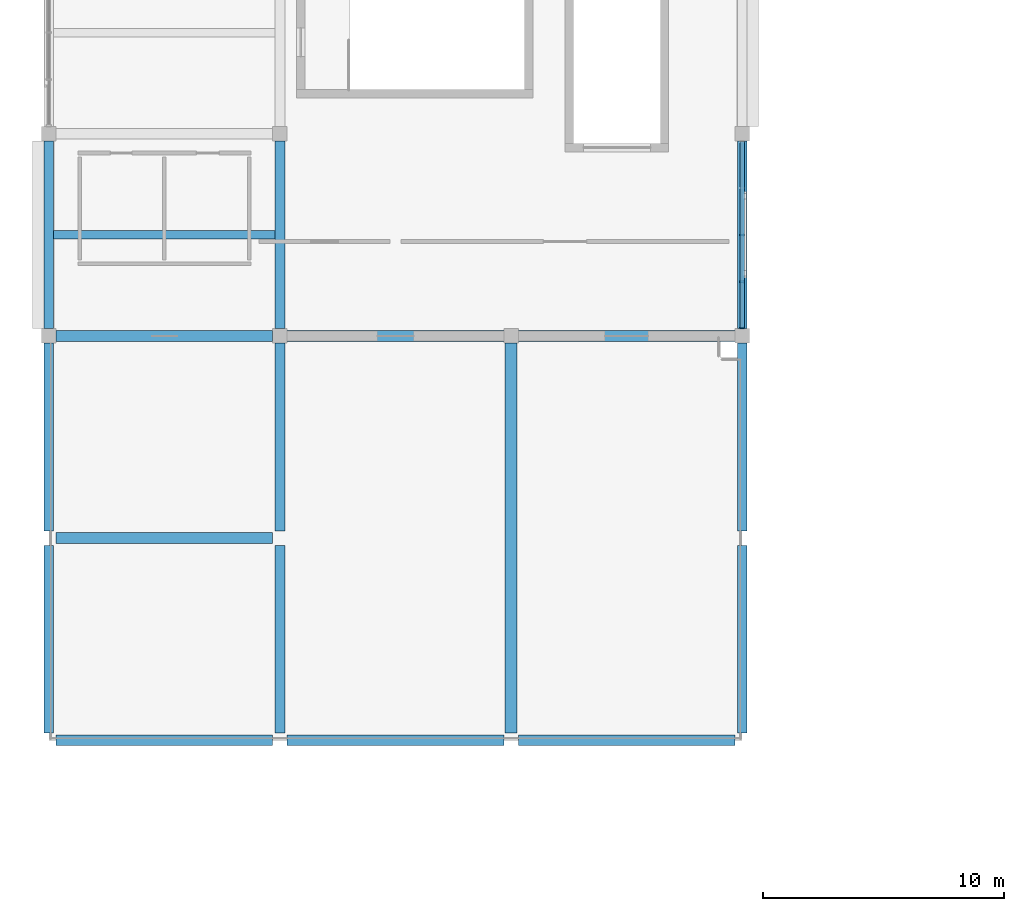
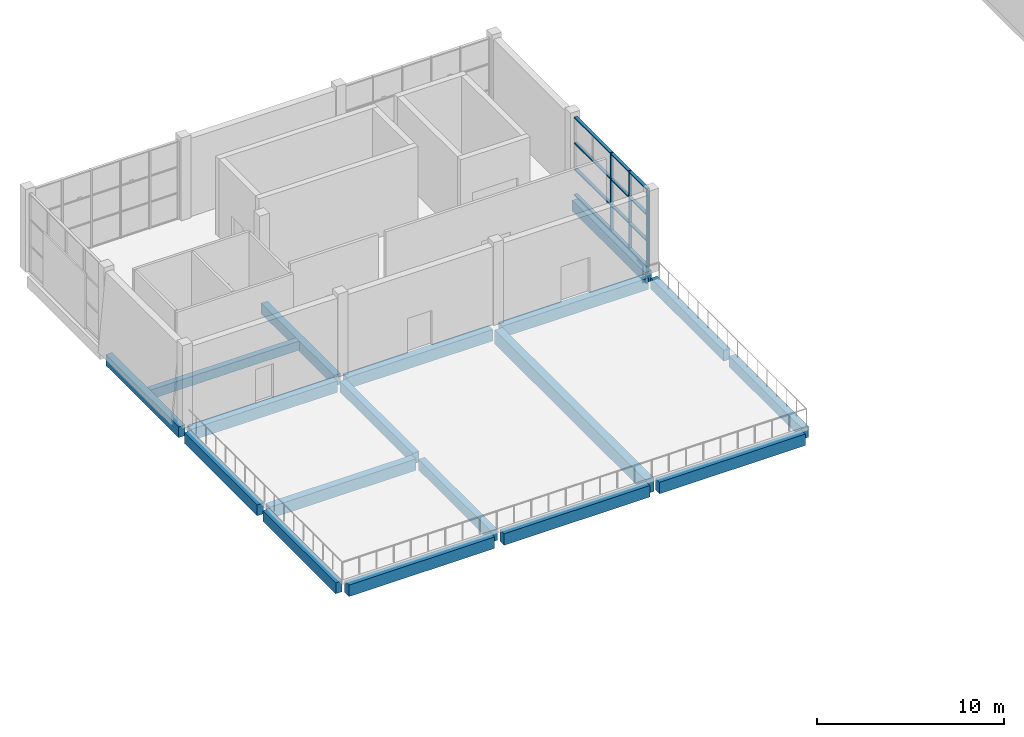
# One storey, part 14 of 57: 18 beams, 7 members, 1 element without a shape of its own.
"""IFC4 building model written with IfcOpenShell, lengths in metres."""

from ifc_helpers import new_model, si_unit, direction, frame, origin, origin_2d, place, context, subcontext, project, spatial, rectangle, extrude, material, material_profile, profile_set, type_object, element, aggregate, save


model = new_model("IFC4")

# Units and contexts
model_context = context("Model", 3, precision=1e-05, world=origin(), true_north=direction((0.0, 1.0)))
body_context = subcontext(model_context, "Body", "Model", "MODEL_VIEW")
ifc_project = project(units=[si_unit("LENGTHUNIT", "METRE"), si_unit("AREAUNIT", "SQUARE_METRE"), si_unit("VOLUMEUNIT", "CUBIC_METRE"), si_unit("PLANEANGLEUNIT", "RADIAN"), si_unit("MASSUNIT", "GRAM", prefix="KILO")], contexts=[model_context])

# Site, building, storey
site_placement = place(None, origin())
site = spatial("IfcSite", under=ifc_project, at=site_placement, CompositionType="ELEMENT")
building_placement = place(site_placement, origin())
building = spatial("IfcBuilding", under=site, at=building_placement, Name="Shalvenor Court Art Gallery", CompositionType="ELEMENT")
storey_placement = place(building_placement, frame((0.0, 0.0, 16.800048828125)))
storey = spatial("IfcBuildingStorey", under=building, at=storey_placement, Name="L03", CompositionType="ELEMENT", Elevation=16.800048828125)

# Beams
ifc_material_1 = material(Name="Concrete C40/50", Category="concrete")
ifc_material_profile_1 = material_profile(ifc_material_1, rectangle(XDim=0.5, YDim=0.89990234375, at=origin_2d()), Name="RC 500x900")
ifc_profile_set_1 = profile_set([ifc_material_profile_1], Name="Concrete C40/50")
beam_type_1 = type_object("IfcBeamType", Name="B-01", PredefinedType="BEAM", material=ifc_profile_set_1)
beam_1_placement = place(storey_placement, frame((19.199951171875, 89.10009765625, -0.75), z_axis=(0.0, 1.0, 0.0), x_axis=(-1.0, 0.0, 0.0)))
element("IfcBeam", 1, at=beam_1_placement, inside=storey, type_object=beam_type_1, Name="L03 Girder BM-L03-B-01-0973", PredefinedType="BEAM", context=body_context, shape_type="SweptSolid", body=[
    extrude(rectangle(XDim=0.5, YDim=0.89990234375, at=origin_2d()), origin(), (0.0, 0.0, 1.0), 16.199951171875),
])
ifc_material_2 = material(Name="Concrete C40/50", Category="concrete")
ifc_material_profile_2 = material_profile(ifc_material_2, rectangle(XDim=0.449951171875, YDim=0.75, at=origin_2d()), Name="RC 450x750")
ifc_profile_set_2 = profile_set([ifc_material_profile_2], Name="Concrete C40/50")
beam_type_2 = type_object("IfcBeamType", Name="B-04", PredefinedType="BEAM", material=ifc_profile_set_2)
for number, where, z_axis, x_axis, name in (
    (2, (0.300048828125, 88.800048828125, -0.675048828125), (1.0, 0.0, 0.0), (0.0, 1.0, 0.0), "L03 Girder BM-L03-B-04-1085"),
    (3, (9.89990234375, 88.800048828125, -0.675048828125), (1.0, 0.0, 0.0), (0.0, 1.0, 0.0), "L03 Girder BM-L03-B-04-1086"),
    (4, (19.5, 88.800048828125, -0.675048828125), (1.0, 0.0, 0.0), (0.0, 1.0, 0.0), "L03 Girder BM-L03-B-04-1087"),
    (5, (0.300048828125, 97.199951171875, -0.675048828125), (1.0, 0.0, 0.0), (0.0, 1.0, 0.0), "L03 Girder BM-L03-B-04-1092"),
    (6, (0.300048828125, 105.60009765625, -0.675048828125), (1.0, 0.0, 0.0), (0.0, 1.0, 0.0), "L03 Girder BM-L03-B-04-1104"),
    (7, (9.89990234375, 105.60009765625, -0.675048828125), (1.0, 0.0, 0.0), (0.0, 1.0, 0.0), "L03 Girder BM-L03-B-04-1105"),
    (8, (19.5, 105.60009765625, -0.675048828125), (1.0, 0.0, 0.0), (0.0, 1.0, 0.0), "L03 Girder BM-L03-B-04-1106"),
):
    element("IfcBeam", number, at=place(storey_placement, frame(where, z_axis=z_axis, x_axis=x_axis)), inside=storey, type_object=beam_type_2, Name=name, PredefinedType="BEAM", context=body_context, shape_type="SweptSolid", body=[
        extrude(rectangle(XDim=0.449951171875, YDim=0.75, at=origin_2d()), origin(), (0.0, 0.0, 1.0), 9.0),
    ])
ifc_material_3 = material(Name="Concrete C40/50", Category="concrete")
ifc_material_profile_3 = material_profile(ifc_material_3, rectangle(XDim=0.39990234375, YDim=0.699951171875, at=origin_2d()), Name="RC 400x700")
ifc_profile_set_3 = profile_set([ifc_material_profile_3], Name="Concrete C40/50")
beam_type_3 = type_object("IfcBeamType", Name="B-05", PredefinedType="BEAM", material=ifc_profile_set_3)
beam_2_placement = place(storey_placement, frame((0.0, 89.10009765625, -0.650146484375), z_axis=(0.0, 1.0, 0.0), x_axis=(-1.0, 0.0, 0.0)))
element("IfcBeam", 9, at=beam_2_placement, inside=storey, type_object=beam_type_3, Name="L03 Girder BM-L03-B-05-0965", PredefinedType="BEAM", context=body_context, shape_type="SweptSolid", body=[
    extrude(rectangle(XDim=0.39990234375, YDim=0.699951171875, at=origin_2d()), origin(), (0.0, 0.0, 1.0), 7.7998046875),
])
for number, where, z_axis, x_axis, name in (
    (10, (0.0, 97.5, -0.650146484375), (0.0, 1.0, 0.0), (-1.0, 0.0, 0.0), "L03 Girder BM-L03-B-05-0966"),
    (11, (0.0, 105.89990234375, -0.650146484375), (0.0, 1.0, 0.0), (-1.0, 0.0, 0.0), "L03 Girder BM-L03-B-05-0967"),
):
    element("IfcBeam", number, at=place(storey_placement, frame(where, z_axis=z_axis, x_axis=x_axis)), inside=storey, type_object=beam_type_3, Name=name, PredefinedType="BEAM", context=body_context, shape_type="SweptSolid", body=[
        extrude(rectangle(XDim=0.39990234375, YDim=0.699951171875, at=origin_2d()), origin(), (0.0, 0.0, 1.0), 7.800048828125),
    ])
beam_3_placement = place(storey_placement, frame((9.60009765625, 89.10009765625, -0.650146484375), z_axis=(0.0, 1.0, 0.0), x_axis=(-1.0, 0.0, 0.0)))
element("IfcBeam", 12, at=beam_3_placement, inside=storey, type_object=beam_type_3, Name="L03 Girder BM-L03-B-05-0969", PredefinedType="BEAM", context=body_context, shape_type="SweptSolid", body=[
    extrude(rectangle(XDim=0.39990234375, YDim=0.699951171875, at=origin_2d()), origin(), (0.0, 0.0, 1.0), 7.7998046875),
])
for number, where, z_axis, x_axis, name in (
    (13, (9.60009765625, 97.5, -0.650146484375), (0.0, 1.0, 0.0), (-1.0, 0.0, 0.0), "L03 Girder BM-L03-B-05-0970"),
    (14, (9.60009765625, 105.89990234375, -0.650146484375), (0.0, 1.0, 0.0), (-1.0, 0.0, 0.0), "L03 Girder BM-L03-B-05-0971"),
):
    element("IfcBeam", number, at=place(storey_placement, frame(where, z_axis=z_axis, x_axis=x_axis)), inside=storey, type_object=beam_type_3, Name=name, PredefinedType="BEAM", context=body_context, shape_type="SweptSolid", body=[
        extrude(rectangle(XDim=0.39990234375, YDim=0.699951171875, at=origin_2d()), origin(), (0.0, 0.0, 1.0), 7.800048828125),
    ])
beam_4_placement = place(storey_placement, frame((28.800048828125, 89.10009765625, -0.650146484375), z_axis=(0.0, 1.0, 0.0), x_axis=(-1.0, 0.0, 0.0)))
element("IfcBeam", 15, at=beam_4_placement, inside=storey, type_object=beam_type_3, Name="L03 Girder BM-L03-B-05-0974", PredefinedType="BEAM", context=body_context, shape_type="SweptSolid", body=[
    extrude(rectangle(XDim=0.39990234375, YDim=0.699951171875, at=origin_2d()), origin(), (0.0, 0.0, 1.0), 7.7998046875),
])
for number, where, z_axis, x_axis, name in (
    (16, (28.800048828125, 97.5, -0.650146484375), (0.0, 1.0, 0.0), (-1.0, 0.0, 0.0), "L03 Girder BM-L03-B-05-0975"),
    (17, (28.800048828125, 105.89990234375, -0.650146484375), (0.0, 1.0, 0.0), (-1.0, 0.0, 0.0), "L03 Girder BM-L03-B-05-0976"),
):
    element("IfcBeam", number, at=place(storey_placement, frame(where, z_axis=z_axis, x_axis=x_axis)), inside=storey, type_object=beam_type_3, Name=name, PredefinedType="BEAM", context=body_context, shape_type="SweptSolid", body=[
        extrude(rectangle(XDim=0.39990234375, YDim=0.699951171875, at=origin_2d()), origin(), (0.0, 0.0, 1.0), 7.800048828125),
    ])

# Curtain wall, members
ifc_material_4 = material(Name="Anodised aluminium and low-iron glass curtain wall", Category="aluminium")
curtain_wall_type = type_object("IfcCurtainWallType", Name="CW-4x3-78-51-141", PredefinedType="USERDEFINED", material=ifc_material_4)
curtain_wall_placement = place(storey_placement, origin())
curtain_wall = element("IfcCurtainWall", 18, at=curtain_wall_placement, inside=storey, type_object=curtain_wall_type, Name="L03 V5 Curtain Wall CW-L03-188", ObjectType="CURTAIN WALL", PredefinedType="USERDEFINED")
ifc_material_5 = material(Name="Anodised aluminium mullion", Category="aluminium")
ifc_material_profile_4 = material_profile(ifc_material_5, rectangle(XDim=0.06494140625, YDim=0.179931640625, at=origin_2d()), Name="CWM-01")
ifc_profile_set_4 = profile_set([ifc_material_profile_4], Name="Anodised aluminium mullion")
member_type_1 = type_object("IfcMemberType", Name="CWM-01", PredefinedType="MULLION", material=ifc_profile_set_4)
member_1_placement = place(storey_placement, frame((28.800048828125, 109.800048828125, 0.0), z_axis=(0.0, 0.0, 1.0), x_axis=(0.0, -1.0, 0.0)))
member_1 = element("IfcMember", 19, at=member_1_placement, type_object=member_type_1, Name="CW-4x3-78-51-141 mullion 3", PredefinedType="MULLION", context=body_context, shape_type="SweptSolid", body=[
    extrude(rectangle(XDim=0.06494140625, YDim=0.179931640625, at=origin_2d()), origin(), (0.0, 0.0, 1.0), 5.099853515625),
])
member_2_placement = place(storey_placement, frame((28.800048828125, 107.85009765625, 0.0), z_axis=(0.0, 0.0, 1.0), x_axis=(0.0, -1.0, 0.0)))
member_2 = element("IfcMember", 20, at=member_2_placement, type_object=member_type_1, Name="CW-4x3-78-51-141 mullion 4", PredefinedType="MULLION", context=body_context, shape_type="SweptSolid", body=[
    extrude(rectangle(XDim=0.06494140625, YDim=0.179931640625, at=origin_2d()), origin(), (0.0, 0.0, 1.0), 5.099853515625),
])
member_3_placement = place(storey_placement, frame((28.800048828125, 105.9326171875, 0.0), z_axis=(0.0, 0.0, 1.0), x_axis=(0.0, -1.0, 0.0)))
member_3 = element("IfcMember", 21, at=member_3_placement, type_object=member_type_1, Name="CW-4x3-78-51-141 mullion 5", PredefinedType="MULLION", context=body_context, shape_type="SweptSolid", body=[
    extrude(rectangle(XDim=0.06494140625, YDim=0.179931640625, at=origin_2d()), origin(), (0.0, 0.0, 1.0), 5.099853515625),
])
ifc_material_6 = material(Name="Anodised aluminium transom", Category="aluminium")
ifc_material_profile_5 = material_profile(ifc_material_6, rectangle(XDim=0.18994140625, YDim=0.070068359375, at=origin_2d()), Name="CWT-04")
ifc_profile_set_5 = profile_set([ifc_material_profile_5], Name="Anodised aluminium transom")
member_type_2 = type_object("IfcMemberType", Name="CWT-04", PredefinedType="USERDEFINED", material=ifc_profile_set_5)
member_4_placement = place(storey_placement, frame((28.800048828125, 113.66748046875, 0.034912109375), z_axis=(0.0, -1.0, 0.0), x_axis=(1.0, 0.0, 0.0)))
member_4 = element("IfcMember", 22, at=member_4_placement, type_object=member_type_2, Name="CW-4x3-78-51-141 transom 1", ObjectType="TRANSOM", PredefinedType="USERDEFINED", context=body_context, shape_type="SweptSolid", body=[
    extrude(rectangle(XDim=0.18994140625, YDim=0.070068359375, at=origin_2d()), origin(), (0.0, 0.0, 1.0), 7.73486328125),
])
member_5_placement = place(storey_placement, frame((28.800048828125, 113.66748046875, 1.699951171875), z_axis=(0.0, -1.0, 0.0), x_axis=(1.0, 0.0, 0.0)))
member_5 = element("IfcMember", 23, at=member_5_placement, type_object=member_type_2, Name="CW-4x3-78-51-141 transom 2", ObjectType="TRANSOM", PredefinedType="USERDEFINED", context=body_context, shape_type="SweptSolid", body=[
    extrude(rectangle(XDim=0.18994140625, YDim=0.070068359375, at=origin_2d()), origin(), (0.0, 0.0, 1.0), 7.73486328125),
])
member_6_placement = place(storey_placement, frame((28.800048828125, 113.66748046875, 3.39990234375), z_axis=(0.0, -1.0, 0.0), x_axis=(1.0, 0.0, 0.0)))
member_6 = element("IfcMember", 24, at=member_6_placement, type_object=member_type_2, Name="CW-4x3-78-51-141 transom 3", ObjectType="TRANSOM", PredefinedType="USERDEFINED", context=body_context, shape_type="SweptSolid", body=[
    extrude(rectangle(XDim=0.18994140625, YDim=0.070068359375, at=origin_2d()), origin(), (0.0, 0.0, 1.0), 7.73486328125),
])
member_7_placement = place(storey_placement, frame((28.800048828125, 113.66748046875, 5.06494140625), z_axis=(0.0, -1.0, 0.0), x_axis=(1.0, 0.0, 0.0)))
member_7 = element("IfcMember", 25, at=member_7_placement, type_object=member_type_2, Name="CW-4x3-78-51-141 transom 4", ObjectType="TRANSOM", PredefinedType="USERDEFINED", context=body_context, shape_type="SweptSolid", body=[
    extrude(rectangle(XDim=0.18994140625, YDim=0.070068359375, at=origin_2d()), origin(), (0.0, 0.0, 1.0), 7.73486328125),
])
aggregate(curtain_wall, [member_1, member_2, member_3, member_4, member_5, member_6, member_7])

# Beam
ifc_material_7 = material(Name="Concrete C40/50", Category="concrete")
ifc_material_profile_6 = material_profile(ifc_material_7, rectangle(XDim=0.35009765625, YDim=0.60009765625, at=origin_2d()), Name="RC 350x600")
ifc_profile_set_6 = profile_set([ifc_material_profile_6], Name="Concrete C40/50")
beam_type_4 = type_object("IfcBeamType", Name="J-01", PredefinedType="JOIST", material=ifc_profile_set_6)
beam_5_placement = place(storey_placement, frame((0.199951171875, 109.800048828125, -0.60009765625), z_axis=(1.0, 0.0, 0.0), x_axis=(0.0, 1.0, 0.0)))
element("IfcBeam", 26, at=beam_5_placement, inside=storey, type_object=beam_type_4, Name="L03 Secondary Beam JST-L03-J-01-1130", PredefinedType="JOIST", context=body_context, shape_type="SweptSolid", body=[
    extrude(rectangle(XDim=0.35009765625, YDim=0.60009765625, at=origin_2d()), origin(), (0.0, 0.0, 1.0), 9.199951171875),
])

save(model, "model.ifc")
